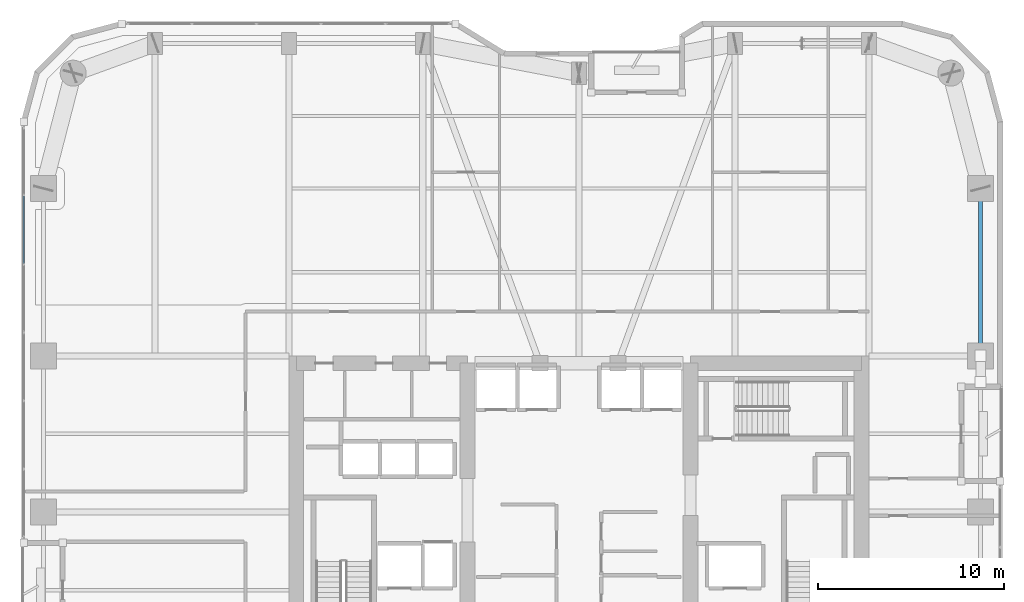
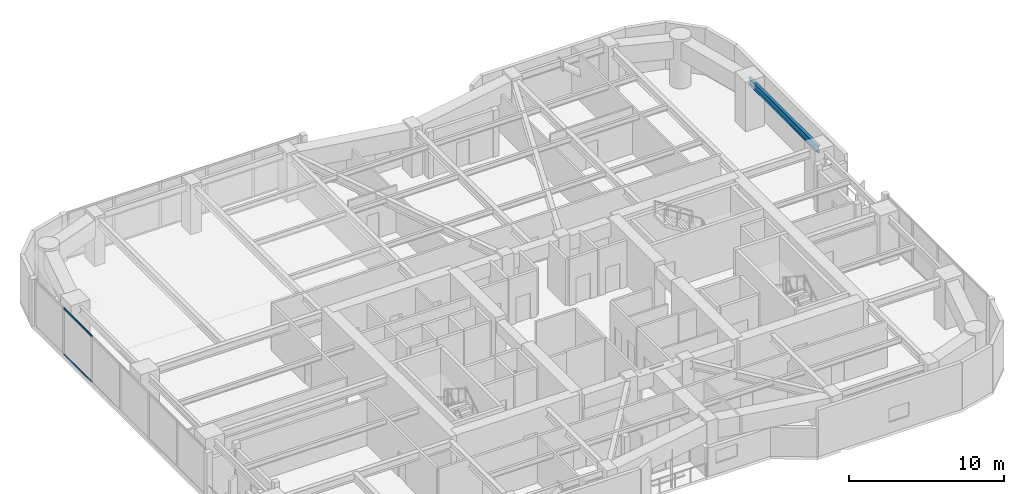
# One storey, part 12 of 30: 2 members, 1 beam, 1 element without a shape of its own.
"""IFC4 building model written with IfcOpenShell, lengths in metres."""

from ifc_helpers import new_model, si_unit, direction, frame, origin, origin_2d, place, context, subcontext, project, spatial, hollow_rectangle, i_section, extrude, material, layer, layer_set, material_profile, profile_set, type_object, element, aggregate, save


model = new_model("IFC4")

# Units and contexts
model_context = context("Model", 3, precision=1e-05, world=origin(), true_north=direction((0.0, 1.0)))
body_context = subcontext(model_context, "Body", "Model", "MODEL_VIEW")
ifc_project = project(units=[si_unit("LENGTHUNIT", "METRE"), si_unit("AREAUNIT", "SQUARE_METRE"), si_unit("VOLUMEUNIT", "CUBIC_METRE"), si_unit("PLANEANGLEUNIT", "RADIAN"), si_unit("MASSUNIT", "GRAM", prefix="KILO")], contexts=[model_context])

# Site, building, storey
site_placement = place(None, origin())
site = spatial("IfcSite", under=ifc_project, at=site_placement, CompositionType="ELEMENT")
building_placement = place(site_placement, origin())
building = spatial("IfcBuilding", under=site, at=building_placement, Name="Kiyonajd Concourse Tower", CompositionType="ELEMENT")
storey_placement = place(building_placement, frame((0.0, 0.0, 150.60009765625)))
storey = spatial("IfcBuildingStorey", under=building, at=storey_placement, Name="L38", CompositionType="ELEMENT", Elevation=150.60009765625)

# Beam
ifc_material_1 = material(Name="Steel ASTM A992 Grade 50", Category="steel")
ifc_material_profile_1 = material_profile(ifc_material_1, i_section(OverallWidth=0.214111328125, OverallDepth=0.549072265625, WebThickness=0.0146484375, FlangeThickness=0.023681640625, at=origin_2d()), Name="W530X138")
ifc_profile_set_1 = profile_set([ifc_material_profile_1], Name="Steel ASTM A992 Grade 50")
beam_type = type_object("IfcBeamType", Name="BM-SPAN-530A", PredefinedType="SPANDREL", material=ifc_profile_set_1)
beam_placement = place(storey_placement, frame((69.60009765625, 44.39990234375, 3.405517578125), z_axis=(0.0, 1.0, 0.0), x_axis=(-1.0, 0.0, 0.0)))
element("IfcBeam", 1, at=beam_placement, inside=storey, type_object=beam_type, Name="L38 Perimeter Bundled Tube Spandrel", PredefinedType="SPANDREL", context=body_context, shape_type="SweptSolid", body=[
    extrude(i_section(OverallWidth=0.214111328125, OverallDepth=0.549072265625, WebThickness=0.0146484375, FlangeThickness=0.023681640625, at=origin_2d()), origin(), (0.0, 0.0, 1.0), 9.0),
])

# Curtain wall, members
ifc_material_2 = material(Name="Thermally Broken Anodised Aluminium", Category="aluminium")
ifc_layer = layer(ifc_material_2, 0.179931640625)
ifc_layer_set = layer_set([ifc_layer], Name="Thermally Broken Anodised Aluminium")
curtain_wall_type = type_object("IfcCurtainWallType", Name="CW-SYS-03", PredefinedType="NOTDEFINED", material=ifc_layer_set)
curtain_wall_placement = place(storey_placement, origin())
curtain_wall = element("IfcCurtainWall", 2, at=curtain_wall_placement, inside=storey, type_object=curtain_wall_type, Name="L38 Unitised Curtain Wall CW3", PredefinedType="NOTDEFINED")
ifc_material_profile_2 = material_profile(ifc_material_2, hollow_rectangle(XDim=0.06494140625, YDim=0.139892578125, WallThickness=0.00390625, at=origin_2d()), Name="TRAN-65x140")
ifc_profile_set_2 = profile_set([ifc_material_profile_2], Name="Thermally Broken Anodised Aluminium")
member_type = type_object("IfcMemberType", Name="MB-CW-TRAN1", PredefinedType="USERDEFINED", material=ifc_profile_set_2)
member_1_placement = place(storey_placement, frame((18.139892578125, 49.3701171875, 0.032470703125), z_axis=(0.0, 1.0, 0.0), x_axis=(-1.0, 0.0, 0.0)))
member_1 = element("IfcMember", 3, at=member_1_placement, type_object=member_type, Name="CW3 transom 5.1", ObjectType="TRANSOM", PredefinedType="USERDEFINED", context=body_context, shape_type="SweptSolid", body=[
    extrude(hollow_rectangle(XDim=0.06494140625, YDim=0.139892578125, WallThickness=0.00390625, at=origin_2d()), origin(), (0.0, 0.0, 1.0), 3.612060546875),
])
member_2_placement = place(storey_placement, frame((18.139892578125, 49.3701171875, 3.6474609375), z_axis=(0.0, 1.0, 0.0), x_axis=(-1.0, 0.0, 0.0)))
member_2 = element("IfcMember", 4, at=member_2_placement, type_object=member_type, Name="CW3 transom 5.2", ObjectType="TRANSOM", PredefinedType="USERDEFINED", context=body_context, shape_type="SweptSolid", body=[
    extrude(hollow_rectangle(XDim=0.06494140625, YDim=0.139892578125, WallThickness=0.00390625, at=origin_2d()), origin(), (0.0, 0.0, 1.0), 3.612060546875),
])
aggregate(curtain_wall, [member_1, member_2])

save(model, "model.ifc")
